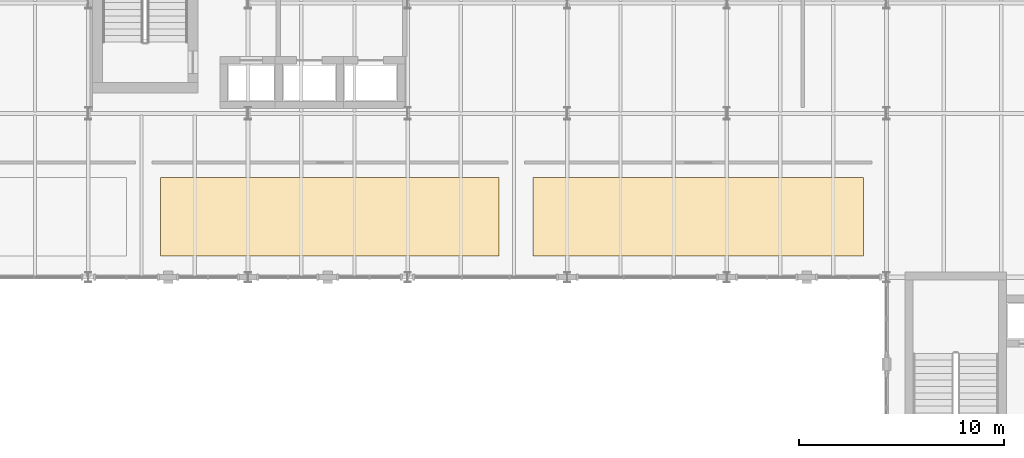
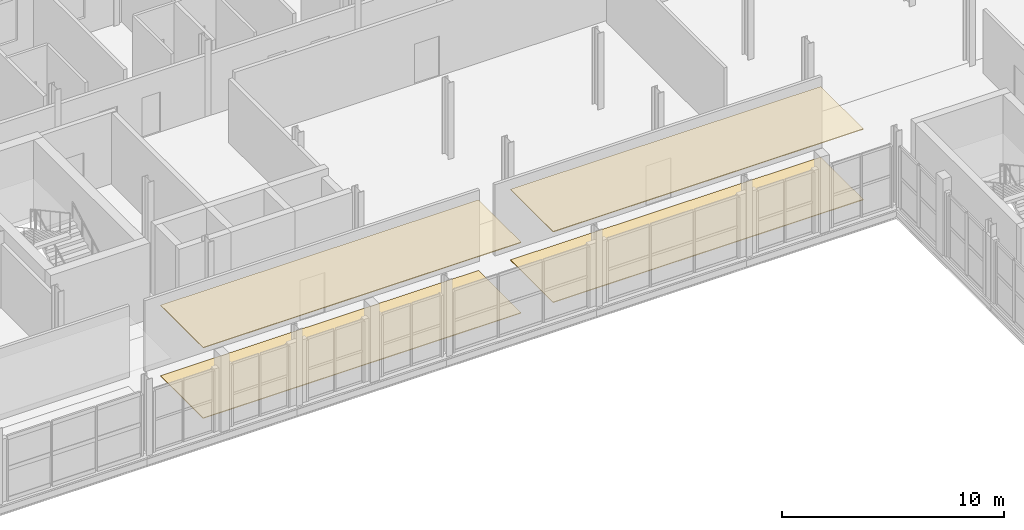
# One storey, part 56 of 58: 4 coverings.
"""IFC4 building model written with IfcOpenShell, lengths in metres."""

from ifc_helpers import new_model, si_unit, direction, frame, origin, place, context, subcontext, project, spatial, polyline, outline, extrude, material, layer, layer_set, type_object, element, save


model = new_model("IFC4")

# Units and contexts
model_context = context("Model", 3, precision=1e-05, world=origin(), true_north=direction((0.0, 1.0)))
body_context = subcontext(model_context, "Body", "Model", "MODEL_VIEW")
ifc_project = project(units=[si_unit("LENGTHUNIT", "METRE"), si_unit("AREAUNIT", "SQUARE_METRE"), si_unit("VOLUMEUNIT", "CUBIC_METRE"), si_unit("PLANEANGLEUNIT", "RADIAN"), si_unit("MASSUNIT", "GRAM", prefix="KILO")], contexts=[model_context])

# Site, building, storey
site_placement = place(None, origin())
site = spatial("IfcSite", under=ifc_project, at=site_placement, CompositionType="ELEMENT")
building_placement = place(site_placement, origin())
building = spatial("IfcBuilding", under=site, at=building_placement, Name="Sefraquen Railside Congress Hotel", CompositionType="ELEMENT")
storey_placement = place(building_placement, frame((0.0, 0.0, 16.199951171875)))
storey = spatial("IfcBuildingStorey", under=building, at=storey_placement, Name="L03", CompositionType="ELEMENT", Elevation=16.199951171875)

# Coverings
ifc_material_1 = material(Name="Acoustic mineral and carved plaster ceiling", Category="gypsum")
ifc_layer_1 = layer(ifc_material_1, 0.0400390625)
ifc_layer_set_1 = layer_set([ifc_layer_1], Name="Acoustic mineral and carved plaster ceiling")
covering_type_1 = type_object("IfcCoveringType", Name="TCV-CEIL-01", PredefinedType="CEILING", material=ifc_layer_set_1)
covering_1_placement = place(storey_placement, frame((0.0, 0.0, 3.880126953125)))
element("IfcCovering", 1, at=covering_1_placement, inside=storey, type_object=covering_type_1, Name="Meeting Room 06 acoustic ceiling finish", PredefinedType="CEILING", context=body_context, shape_type="SweptSolid", body=[
    extrude(outline(polyline([(67.72998046875, 89.030029296875), (84.27001953125, 89.030029296875), (84.27001953125, 92.8701171875), (67.72998046875, 92.8701171875), (67.72998046875, 89.030029296875)])), origin(), (0.0, 0.0, 1.0), 0.0400390625),
])
covering_2_placement = place(storey_placement, frame((0.0, 0.0, 3.880126953125)))
element("IfcCovering", 2, at=covering_2_placement, inside=storey, type_object=covering_type_1, Name="Meeting Room 07 acoustic ceiling finish", PredefinedType="CEILING", context=body_context, shape_type="SweptSolid", body=[
    extrude(outline(polyline([(85.929931640625, 89.030029296875), (102.070068359375, 89.030029296875), (102.070068359375, 92.8701171875), (85.929931640625, 92.8701171875), (85.929931640625, 89.030029296875)])), origin(), (0.0, 0.0, 1.0), 0.0400390625),
])
ifc_material_2 = material(Name="Moroccan zellige ceramic and honed stone flooring", Category="masonry")
ifc_layer_2 = layer(ifc_material_2, 0.0400390625)
ifc_layer_set_2 = layer_set([ifc_layer_2], Name="Moroccan zellige ceramic and honed stone flooring")
covering_type_2 = type_object("IfcCoveringType", Name="TCV-FLR-01", PredefinedType="FLOORING", material=ifc_layer_set_2)
covering_3_placement = place(storey_placement, origin())
element("IfcCovering", 3, at=covering_3_placement, inside=storey, type_object=covering_type_2, Name="Meeting Room 06 architectural floor finish", PredefinedType="FLOORING", context=body_context, shape_type="SweptSolid", body=[
    extrude(outline(polyline([(67.72998046875, 89.030029296875), (84.27001953125, 89.030029296875), (84.27001953125, 92.8701171875), (67.72998046875, 92.8701171875), (67.72998046875, 89.030029296875)])), origin(), (0.0, 0.0, 1.0), 0.0400390625),
])
covering_4_placement = place(storey_placement, origin())
element("IfcCovering", 4, at=covering_4_placement, inside=storey, type_object=covering_type_2, Name="Meeting Room 07 architectural floor finish", PredefinedType="FLOORING", context=body_context, shape_type="SweptSolid", body=[
    extrude(outline(polyline([(85.929931640625, 89.030029296875), (102.070068359375, 89.030029296875), (102.070068359375, 92.8701171875), (85.929931640625, 92.8701171875), (85.929931640625, 89.030029296875)])), origin(), (0.0, 0.0, 1.0), 0.0400390625),
])

save(model, "model.ifc")
